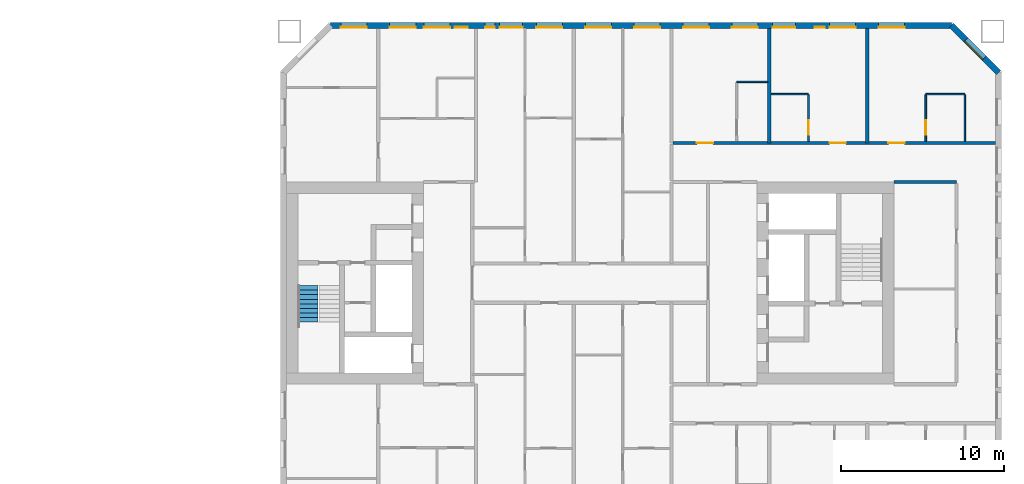
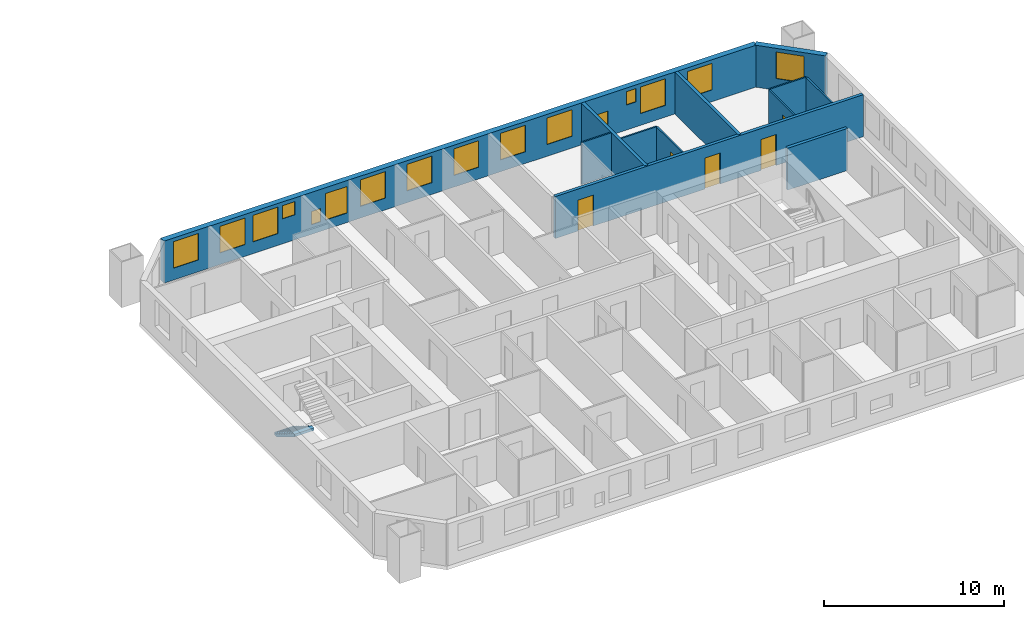
# One storey, part 14 of 17: 16 windows, 12 walls, 5 doors, 1 stair flight, 21 openings, 1 element without a shape of its own.
"""IFC4 building model written with IfcOpenShell, lengths in metres."""

from ifc_helpers import new_model, si_unit, direction, frame, frame_2d, origin, place, context, subcontext, project, spatial, polyline, rectangle, outline, extrude, material, layer, layer_set, type_object, element, fill, aggregate, save


model = new_model("IFC4")

# Units and contexts
model_context = context("Model", 3, precision=1e-05, world=origin(), true_north=direction((0.0, 1.0)))
body_context = subcontext(model_context, "Body", "Model", "MODEL_VIEW")
ifc_project = project(units=[si_unit("LENGTHUNIT", "METRE"), si_unit("AREAUNIT", "SQUARE_METRE"), si_unit("VOLUMEUNIT", "CUBIC_METRE"), si_unit("PLANEANGLEUNIT", "RADIAN"), si_unit("MASSUNIT", "GRAM", prefix="KILO")], contexts=[model_context])

# Site, building, storey
site_placement = place(None, origin())
site = spatial("IfcSite", under=ifc_project, at=site_placement, CompositionType="ELEMENT")
building_placement = place(site_placement, origin())
building = spatial("IfcBuilding", under=site, at=building_placement, Name="Tuart Gate Housing", CompositionType="ELEMENT")
storey_placement = place(building_placement, frame((0.0, 0.0, 77.800048828125)))
storey = spatial("IfcBuildingStorey", under=building, at=storey_placement, Name="L21", CompositionType="ELEMENT", Elevation=77.800048828125)

# Wall, opening, window
ifc_material_1 = material(Name="Brick", Category="masonry")
ifc_layer_1 = layer(ifc_material_1, 0.360107421875)
ifc_layer_set_1 = layer_set([ifc_layer_1], Name="Brick pier and spandrel wall 360")
wall_type_1 = type_object("IfcWallType", Name="Brick pier and spandrel wall 360", PredefinedType="STANDARD", material=ifc_layer_set_1)
wall_1_placement = place(storey_placement, frame((175.070068359375, 82.92529296875, 0.0), z_axis=(0.0, 0.0, 1.0), x_axis=(-0.707106781187, 0.707106781187, 0.0)))
wall_1 = element("IfcWall", 1, at=wall_1_placement, inside=storey, type_object=wall_type_1, Name="External wall B-NE L21", PredefinedType="STANDARD", context=body_context, shape_type="SweptSolid", body=[
    extrude(rectangle(XDim=4.09375, YDim=0.360107421875, at=frame_2d((2.046875, 0.0))), origin(), (0.0, 0.0, 1.0), 2.849853515625),
])
opening_1_placement = place(wall_1_placement, frame((1.2470703125, 0.0, 0.800048828125)))
opening_1 = element("IfcOpeningElement", 2, at=opening_1_placement, cuts=wall_1, Name="Opening W1", PredefinedType="OPENING", context=body_context, shape_type="SweptSolid", body=[
    extrude(rectangle(XDim=1.60009765625, YDim=1.800048828125, at=frame_2d((0.800048828125, 0.89990234375))), frame((0.0, 0.18994140625, 0.0), z_axis=(0.0, -1.0, 0.0), x_axis=(1.0, 0.0, 0.0)), (0.0, 0.0, 1.0), 0.380126953125),
])
ifc_material_2 = material(Name="Aluminium frame with clear glass", Category="aluminium")
window_type_1 = type_object("IfcWindowType", Name="Punched window 1600 x 1800", PartitioningType="SINGLE_PANEL", PredefinedType="WINDOW", material=ifc_material_2)
window_1_placement = place(opening_1_placement, origin())
window_1 = element("IfcWindow", 3, at=window_1_placement, inside=storey, type_object=window_type_1, Name="Window W1", OverallHeight=1.800048828125, OverallWidth=1.60009765625, PartitioningType="SINGLE_PANEL", PredefinedType="WINDOW", context=body_context, shape_type="SweptSolid", body=[
    extrude(rectangle(XDim=1.60009765625, YDim=1.800048828125, at=frame_2d((0.800048828125, 0.89990234375))), frame((0.0, 0.150146484375, 0.0), z_axis=(0.0, -1.0, 0.0), x_axis=(1.0, 0.0, 0.0)), (0.0, 0.0, 1.0), 0.06005859375),
])
fill(opening_1, window_1)

# Wall, openings, windows
wall_2_placement = place(storey_placement, frame((172.17529296875, 85.820068359375, 0.0), z_axis=(0.0, 0.0, 1.0), x_axis=(-1.0, 0.0, 0.0)))
wall_2 = element("IfcWall", 4, at=wall_2_placement, inside=storey, type_object=wall_type_1, Name="External wall B-N L21", PredefinedType="STANDARD", context=body_context, shape_type="SweptSolid", body=[
    extrude(rectangle(XDim=38.100830078125, YDim=0.360107421875, at=frame_2d((19.05029296875, 0.0))), origin(), (0.0, 0.0, 1.0), 2.849853515625),
])
opening_2_placement = place(wall_2_placement, frame((2.87548828125, 0.0, 0.800048828125)))
opening_2 = element("IfcOpeningElement", 5, at=opening_2_placement, cuts=wall_2, Name="Opening W1", PredefinedType="OPENING", context=body_context, shape_type="SweptSolid", body=[
    extrude(rectangle(XDim=1.60009765625, YDim=1.800048828125, at=frame_2d((0.800048828125, 0.89990234375))), frame((0.0, 0.18994140625, 0.0), z_axis=(0.0, -1.0, 0.0), x_axis=(1.0, 0.0, 0.0)), (0.0, 0.0, 1.0), 0.380126953125),
])
opening_3_placement = place(wall_2_placement, frame((5.87548828125, 0.0, 0.800048828125)))
opening_3 = element("IfcOpeningElement", 6, at=opening_3_placement, cuts=wall_2, Name="Opening W1", PredefinedType="OPENING", context=body_context, shape_type="SweptSolid", body=[
    extrude(rectangle(XDim=1.60009765625, YDim=1.800048828125, at=frame_2d((0.800048828125, 0.89990234375))), frame((0.0, 0.18994140625, 0.0), z_axis=(0.0, -1.0, 0.0), x_axis=(1.0, 0.0, 0.0)), (0.0, 0.0, 1.0), 0.380126953125),
])
opening_4_placement = place(wall_2_placement, frame((7.775390625, 0.0, 1.699951171875)))
opening_4 = element("IfcOpeningElement", 7, at=opening_4_placement, cuts=wall_2, Name="Opening W1W", PredefinedType="OPENING", context=body_context, shape_type="SweptSolid", body=[
    extrude(rectangle(XDim=0.60009765625, YDim=0.89990234375, at=frame_2d((0.300048828125, 0.449951171875))), frame((0.0, 0.18994140625, 0.0), z_axis=(0.0, -1.0, 0.0), x_axis=(1.0, 0.0, 0.0)), (0.0, 0.0, 1.0), 0.380126953125),
])
opening_5_placement = place(wall_2_placement, frame((11.87548828125, 0.0, 0.800048828125)))
opening_5 = element("IfcOpeningElement", 8, at=opening_5_placement, cuts=wall_2, Name="Opening W1", PredefinedType="OPENING", context=body_context, shape_type="SweptSolid", body=[
    extrude(rectangle(XDim=1.60009765625, YDim=1.800048828125, at=frame_2d((0.800048828125, 0.89990234375))), frame((0.0, 0.18994140625, 0.0), z_axis=(0.0, -1.0, 0.0), x_axis=(1.0, 0.0, 0.0)), (0.0, 0.0, 1.0), 0.380126953125),
])
opening_6_placement = place(wall_2_placement, frame((14.87548828125, 0.0, 0.800048828125)))
opening_6 = element("IfcOpeningElement", 9, at=opening_6_placement, cuts=wall_2, Name="Opening W1", PredefinedType="OPENING", context=body_context, shape_type="SweptSolid", body=[
    extrude(rectangle(XDim=1.60009765625, YDim=1.800048828125, at=frame_2d((0.800048828125, 0.89990234375))), frame((0.0, 0.18994140625, 0.0), z_axis=(0.0, -1.0, 0.0), x_axis=(1.0, 0.0, 0.0)), (0.0, 0.0, 1.0), 0.380126953125),
])
opening_7_placement = place(wall_2_placement, frame((17.87548828125, 0.0, 0.800048828125)))
opening_7 = element("IfcOpeningElement", 10, at=opening_7_placement, cuts=wall_2, Name="Opening W1", PredefinedType="OPENING", context=body_context, shape_type="SweptSolid", body=[
    extrude(rectangle(XDim=1.60009765625, YDim=1.800048828125, at=frame_2d((0.800048828125, 0.89990234375))), frame((0.0, 0.18994140625, 0.0), z_axis=(0.0, -1.0, 0.0), x_axis=(1.0, 0.0, 0.0)), (0.0, 0.0, 1.0), 0.380126953125),
])
opening_8_placement = place(wall_2_placement, frame((20.87548828125, 0.0, 0.800048828125)))
opening_8 = element("IfcOpeningElement", 11, at=opening_8_placement, cuts=wall_2, Name="Opening W1", PredefinedType="OPENING", context=body_context, shape_type="SweptSolid", body=[
    extrude(rectangle(XDim=1.60009765625, YDim=1.800048828125, at=frame_2d((0.800048828125, 0.89990234375))), frame((0.0, 0.18994140625, 0.0), z_axis=(0.0, -1.0, 0.0), x_axis=(1.0, 0.0, 0.0)), (0.0, 0.0, 1.0), 0.380126953125),
])
opening_9_placement = place(wall_2_placement, frame((23.87548828125, 0.0, 0.800048828125)))
opening_9 = element("IfcOpeningElement", 12, at=opening_9_placement, cuts=wall_2, Name="Opening W1", PredefinedType="OPENING", context=body_context, shape_type="SweptSolid", body=[
    extrude(rectangle(XDim=1.60009765625, YDim=1.800048828125, at=frame_2d((0.800048828125, 0.89990234375))), frame((0.0, 0.18994140625, 0.0), z_axis=(0.0, -1.0, 0.0), x_axis=(1.0, 0.0, 0.0)), (0.0, 0.0, 1.0), 0.380126953125),
])
opening_10_placement = place(wall_2_placement, frame((26.325439453125, 0.0, 0.64990234375)))
opening_10 = element("IfcOpeningElement", 13, at=opening_10_placement, cuts=wall_2, Name="Opening W1A", PredefinedType="OPENING", context=body_context, shape_type="SweptSolid", body=[
    extrude(rectangle(XDim=1.39990234375, YDim=1.800048828125, at=frame_2d((0.699951171875, 0.89990234375))), frame((0.0, 0.18994140625, 0.0), z_axis=(0.0, -1.0, 0.0), x_axis=(1.0, 0.0, 0.0)), (0.0, 0.0, 1.0), 0.380126953125),
])
opening_11_placement = place(wall_2_placement, frame((29.67529296875, 0.0, 1.699951171875)))
opening_11 = element("IfcOpeningElement", 14, at=opening_11_placement, cuts=wall_2, Name="Opening W1V", PredefinedType="OPENING", context=body_context, shape_type="SweptSolid", body=[
    extrude(rectangle(XDim=0.800048828125, YDim=0.89990234375, at=frame_2d((0.39990234375, 0.449951171875))), frame((0.0, 0.18994140625, 0.0), z_axis=(0.0, -1.0, 0.0), x_axis=(1.0, 0.0, 0.0)), (0.0, 0.0, 1.0), 0.380126953125),
])
opening_12_placement = place(wall_2_placement, frame((32.87548828125, 0.0, 0.800048828125)))
opening_12 = element("IfcOpeningElement", 15, at=opening_12_placement, cuts=wall_2, Name="Opening W1", PredefinedType="OPENING", context=body_context, shape_type="SweptSolid", body=[
    extrude(rectangle(XDim=1.60009765625, YDim=1.800048828125, at=frame_2d((0.800048828125, 0.89990234375))), frame((0.0, 0.18994140625, 0.0), z_axis=(0.0, -1.0, 0.0), x_axis=(1.0, 0.0, 0.0)), (0.0, 0.0, 1.0), 0.380126953125),
])
opening_13_placement = place(wall_2_placement, frame((35.87548828125, 0.0, 0.800048828125)))
opening_13 = element("IfcOpeningElement", 16, at=opening_13_placement, cuts=wall_2, Name="Opening W1", PredefinedType="OPENING", context=body_context, shape_type="SweptSolid", body=[
    extrude(rectangle(XDim=1.60009765625, YDim=1.800048828125, at=frame_2d((0.800048828125, 0.89990234375))), frame((0.0, 0.18994140625, 0.0), z_axis=(0.0, -1.0, 0.0), x_axis=(1.0, 0.0, 0.0)), (0.0, 0.0, 1.0), 0.380126953125),
])
opening_14_placement = place(wall_2_placement, frame((9.575439453125, 0.0, 0.800048828125)))
opening_14 = element("IfcOpeningElement", 17, at=opening_14_placement, cuts=wall_2, Name="Opening W1S", PredefinedType="OPENING", context=body_context, shape_type="SweptSolid", body=[
    extrude(rectangle(XDim=1.39990234375, YDim=0.89990234375, at=frame_2d((0.699951171875, 0.449951171875))), frame((0.0, 0.18994140625, 0.0), z_axis=(0.0, -1.0, 0.0), x_axis=(1.0, 0.0, 0.0)), (0.0, 0.0, 1.0), 0.380126953125),
])
opening_15_placement = place(wall_2_placement, frame((28.025390625, 0.0, 0.64990234375)))
opening_15 = element("IfcOpeningElement", 18, at=opening_15_placement, cuts=wall_2, Name="Opening W1W", PredefinedType="OPENING", context=body_context, shape_type="SweptSolid", body=[
    extrude(rectangle(XDim=0.60009765625, YDim=0.89990234375, at=frame_2d((0.300048828125, 0.449951171875))), frame((0.0, 0.18994140625, 0.0), z_axis=(0.0, -1.0, 0.0), x_axis=(1.0, 0.0, 0.0)), (0.0, 0.0, 1.0), 0.380126953125),
])
opening_16_placement = place(wall_2_placement, frame((30.775390625, 0.0, 0.800048828125)))
opening_16 = element("IfcOpeningElement", 19, at=opening_16_placement, cuts=wall_2, Name="Opening W1", PredefinedType="OPENING", context=body_context, shape_type="SweptSolid", body=[
    extrude(rectangle(XDim=1.60009765625, YDim=1.800048828125, at=frame_2d((0.800048828125, 0.89990234375))), frame((0.0, 0.18994140625, 0.0), z_axis=(0.0, -1.0, 0.0), x_axis=(1.0, 0.0, 0.0)), (0.0, 0.0, 1.0), 0.380126953125),
])
ifc_material_3 = material(Name="Aluminium frame with clear glass", Category="aluminium")
window_type_2 = type_object("IfcWindowType", Name="Punched window 1400 x 1800", PartitioningType="SINGLE_PANEL", PredefinedType="WINDOW", material=ifc_material_3)
window_2_placement = place(opening_10_placement, origin())
window_2 = element("IfcWindow", 20, at=window_2_placement, inside=storey, type_object=window_type_2, Name="Window W1A", OverallHeight=1.800048828125, OverallWidth=1.39990234375, PartitioningType="SINGLE_PANEL", PredefinedType="WINDOW", context=body_context, shape_type="SweptSolid", body=[
    extrude(rectangle(XDim=1.39990234375, YDim=1.800048828125, at=frame_2d((0.699951171875, 0.89990234375))), frame((0.0, 0.150146484375, 0.0), z_axis=(0.0, -1.0, 0.0), x_axis=(1.0, 0.0, 0.0)), (0.0, 0.0, 1.0), 0.06005859375),
])
fill(opening_10, window_2)
ifc_material_4 = material(Name="Aluminium frame with clear glass", Category="aluminium")
window_type_3 = type_object("IfcWindowType", Name="Punched window 1400 x 900", PartitioningType="SINGLE_PANEL", PredefinedType="WINDOW", material=ifc_material_4)
window_3_placement = place(opening_14_placement, origin())
window_3 = element("IfcWindow", 21, at=window_3_placement, inside=storey, type_object=window_type_3, Name="Window W1S", OverallHeight=0.89990234375, OverallWidth=1.39990234375, PartitioningType="SINGLE_PANEL", PredefinedType="WINDOW", context=body_context, shape_type="SweptSolid", body=[
    extrude(rectangle(XDim=1.39990234375, YDim=0.89990234375, at=frame_2d((0.699951171875, 0.449951171875))), frame((0.0, 0.150146484375, 0.0), z_axis=(0.0, -1.0, 0.0), x_axis=(1.0, 0.0, 0.0)), (0.0, 0.0, 1.0), 0.06005859375),
])
fill(opening_14, window_3)
window_4_placement = place(opening_2_placement, origin())
window_4 = element("IfcWindow", 22, at=window_4_placement, inside=storey, type_object=window_type_1, Name="Window W1", OverallHeight=1.800048828125, OverallWidth=1.60009765625, PartitioningType="SINGLE_PANEL", PredefinedType="WINDOW", context=body_context, shape_type="SweptSolid", body=[
    extrude(rectangle(XDim=1.60009765625, YDim=1.800048828125, at=frame_2d((0.800048828125, 0.89990234375))), frame((0.0, 0.150146484375, 0.0), z_axis=(0.0, -1.0, 0.0), x_axis=(1.0, 0.0, 0.0)), (0.0, 0.0, 1.0), 0.06005859375),
])
fill(opening_2, window_4)
window_5_placement = place(opening_3_placement, origin())
window_5 = element("IfcWindow", 23, at=window_5_placement, inside=storey, type_object=window_type_1, Name="Window W1", OverallHeight=1.800048828125, OverallWidth=1.60009765625, PartitioningType="SINGLE_PANEL", PredefinedType="WINDOW", context=body_context, shape_type="SweptSolid", body=[
    extrude(rectangle(XDim=1.60009765625, YDim=1.800048828125, at=frame_2d((0.800048828125, 0.89990234375))), frame((0.0, 0.150146484375, 0.0), z_axis=(0.0, -1.0, 0.0), x_axis=(1.0, 0.0, 0.0)), (0.0, 0.0, 1.0), 0.06005859375),
])
fill(opening_3, window_5)
window_6_placement = place(opening_5_placement, origin())
window_6 = element("IfcWindow", 24, at=window_6_placement, inside=storey, type_object=window_type_1, Name="Window W1", OverallHeight=1.800048828125, OverallWidth=1.60009765625, PartitioningType="SINGLE_PANEL", PredefinedType="WINDOW", context=body_context, shape_type="SweptSolid", body=[
    extrude(rectangle(XDim=1.60009765625, YDim=1.800048828125, at=frame_2d((0.800048828125, 0.89990234375))), frame((0.0, 0.150146484375, 0.0), z_axis=(0.0, -1.0, 0.0), x_axis=(1.0, 0.0, 0.0)), (0.0, 0.0, 1.0), 0.06005859375),
])
fill(opening_5, window_6)
window_7_placement = place(opening_6_placement, origin())
window_7 = element("IfcWindow", 25, at=window_7_placement, inside=storey, type_object=window_type_1, Name="Window W1", OverallHeight=1.800048828125, OverallWidth=1.60009765625, PartitioningType="SINGLE_PANEL", PredefinedType="WINDOW", context=body_context, shape_type="SweptSolid", body=[
    extrude(rectangle(XDim=1.60009765625, YDim=1.800048828125, at=frame_2d((0.800048828125, 0.89990234375))), frame((0.0, 0.150146484375, 0.0), z_axis=(0.0, -1.0, 0.0), x_axis=(1.0, 0.0, 0.0)), (0.0, 0.0, 1.0), 0.06005859375),
])
fill(opening_6, window_7)
window_8_placement = place(opening_7_placement, origin())
window_8 = element("IfcWindow", 26, at=window_8_placement, inside=storey, type_object=window_type_1, Name="Window W1", OverallHeight=1.800048828125, OverallWidth=1.60009765625, PartitioningType="SINGLE_PANEL", PredefinedType="WINDOW", context=body_context, shape_type="SweptSolid", body=[
    extrude(rectangle(XDim=1.60009765625, YDim=1.800048828125, at=frame_2d((0.800048828125, 0.89990234375))), frame((0.0, 0.150146484375, 0.0), z_axis=(0.0, -1.0, 0.0), x_axis=(1.0, 0.0, 0.0)), (0.0, 0.0, 1.0), 0.06005859375),
])
fill(opening_7, window_8)
window_9_placement = place(opening_8_placement, origin())
window_9 = element("IfcWindow", 27, at=window_9_placement, inside=storey, type_object=window_type_1, Name="Window W1", OverallHeight=1.800048828125, OverallWidth=1.60009765625, PartitioningType="SINGLE_PANEL", PredefinedType="WINDOW", context=body_context, shape_type="SweptSolid", body=[
    extrude(rectangle(XDim=1.60009765625, YDim=1.800048828125, at=frame_2d((0.800048828125, 0.89990234375))), frame((0.0, 0.150146484375, 0.0), z_axis=(0.0, -1.0, 0.0), x_axis=(1.0, 0.0, 0.0)), (0.0, 0.0, 1.0), 0.06005859375),
])
fill(opening_8, window_9)
window_10_placement = place(opening_9_placement, origin())
window_10 = element("IfcWindow", 28, at=window_10_placement, inside=storey, type_object=window_type_1, Name="Window W1", OverallHeight=1.800048828125, OverallWidth=1.60009765625, PartitioningType="SINGLE_PANEL", PredefinedType="WINDOW", context=body_context, shape_type="SweptSolid", body=[
    extrude(rectangle(XDim=1.60009765625, YDim=1.800048828125, at=frame_2d((0.800048828125, 0.89990234375))), frame((0.0, 0.150146484375, 0.0), z_axis=(0.0, -1.0, 0.0), x_axis=(1.0, 0.0, 0.0)), (0.0, 0.0, 1.0), 0.06005859375),
])
fill(opening_9, window_10)
window_11_placement = place(opening_12_placement, origin())
window_11 = element("IfcWindow", 29, at=window_11_placement, inside=storey, type_object=window_type_1, Name="Window W1", OverallHeight=1.800048828125, OverallWidth=1.60009765625, PartitioningType="SINGLE_PANEL", PredefinedType="WINDOW", context=body_context, shape_type="SweptSolid", body=[
    extrude(rectangle(XDim=1.60009765625, YDim=1.800048828125, at=frame_2d((0.800048828125, 0.89990234375))), frame((0.0, 0.150146484375, 0.0), z_axis=(0.0, -1.0, 0.0), x_axis=(1.0, 0.0, 0.0)), (0.0, 0.0, 1.0), 0.06005859375),
])
fill(opening_12, window_11)
window_12_placement = place(opening_13_placement, origin())
window_12 = element("IfcWindow", 30, at=window_12_placement, inside=storey, type_object=window_type_1, Name="Window W1", OverallHeight=1.800048828125, OverallWidth=1.60009765625, PartitioningType="SINGLE_PANEL", PredefinedType="WINDOW", context=body_context, shape_type="SweptSolid", body=[
    extrude(rectangle(XDim=1.60009765625, YDim=1.800048828125, at=frame_2d((0.800048828125, 0.89990234375))), frame((0.0, 0.150146484375, 0.0), z_axis=(0.0, -1.0, 0.0), x_axis=(1.0, 0.0, 0.0)), (0.0, 0.0, 1.0), 0.06005859375),
])
fill(opening_13, window_12)
window_13_placement = place(opening_16_placement, origin())
window_13 = element("IfcWindow", 31, at=window_13_placement, inside=storey, type_object=window_type_1, Name="Window W1", OverallHeight=1.800048828125, OverallWidth=1.60009765625, PartitioningType="SINGLE_PANEL", PredefinedType="WINDOW", context=body_context, shape_type="SweptSolid", body=[
    extrude(rectangle(XDim=1.60009765625, YDim=1.800048828125, at=frame_2d((0.800048828125, 0.89990234375))), frame((0.0, 0.150146484375, 0.0), z_axis=(0.0, -1.0, 0.0), x_axis=(1.0, 0.0, 0.0)), (0.0, 0.0, 1.0), 0.06005859375),
])
fill(opening_16, window_13)
ifc_material_5 = material(Name="Aluminium frame with clear glass", Category="aluminium")
window_type_4 = type_object("IfcWindowType", Name="Punched window 600 x 900", PartitioningType="SINGLE_PANEL", PredefinedType="WINDOW", material=ifc_material_5)
window_14_placement = place(opening_4_placement, origin())
window_14 = element("IfcWindow", 32, at=window_14_placement, inside=storey, type_object=window_type_4, Name="Window W1W", OverallHeight=0.89990234375, OverallWidth=0.60009765625, PartitioningType="SINGLE_PANEL", PredefinedType="WINDOW", context=body_context, shape_type="SweptSolid", body=[
    extrude(rectangle(XDim=0.60009765625, YDim=0.89990234375, at=frame_2d((0.300048828125, 0.449951171875))), frame((0.0, 0.150146484375, 0.0), z_axis=(0.0, -1.0, 0.0), x_axis=(1.0, 0.0, 0.0)), (0.0, 0.0, 1.0), 0.06005859375),
])
fill(opening_4, window_14)
window_15_placement = place(opening_15_placement, origin())
window_15 = element("IfcWindow", 33, at=window_15_placement, inside=storey, type_object=window_type_4, Name="Window W1W", OverallHeight=0.89990234375, OverallWidth=0.60009765625, PartitioningType="SINGLE_PANEL", PredefinedType="WINDOW", context=body_context, shape_type="SweptSolid", body=[
    extrude(rectangle(XDim=0.60009765625, YDim=0.89990234375, at=frame_2d((0.300048828125, 0.449951171875))), frame((0.0, 0.150146484375, 0.0), z_axis=(0.0, -1.0, 0.0), x_axis=(1.0, 0.0, 0.0)), (0.0, 0.0, 1.0), 0.06005859375),
])
fill(opening_15, window_15)
ifc_material_6 = material(Name="Aluminium frame with clear glass", Category="aluminium")
window_type_5 = type_object("IfcWindowType", Name="Punched window 800 x 900", PartitioningType="SINGLE_PANEL", PredefinedType="WINDOW", material=ifc_material_6)
window_16_placement = place(opening_11_placement, origin())
window_16 = element("IfcWindow", 34, at=window_16_placement, inside=storey, type_object=window_type_5, Name="Window W1V", OverallHeight=0.89990234375, OverallWidth=0.800048828125, PartitioningType="SINGLE_PANEL", PredefinedType="WINDOW", context=body_context, shape_type="SweptSolid", body=[
    extrude(rectangle(XDim=0.800048828125, YDim=0.89990234375, at=frame_2d((0.39990234375, 0.449951171875))), frame((0.0, 0.150146484375, 0.0), z_axis=(0.0, -1.0, 0.0), x_axis=(1.0, 0.0, 0.0)), (0.0, 0.0, 1.0), 0.06005859375),
])
fill(opening_11, window_16)

# Wall
ifc_material_7 = material(Name="Concrete masonry 15 MPa", Category="masonry")
ifc_layer_2 = layer(ifc_material_7, 0.199951171875)
ifc_layer_set_2 = layer_set([ifc_layer_2], Name="Corridor wall masonry 200")
wall_type_2 = type_object("IfcWallType", Name="Corridor wall masonry 200", PredefinedType="PARTITIONING", material=ifc_layer_set_2)
wall_3_placement = place(storey_placement, frame((168.639892578125, 76.199951171875, 0.0), z_axis=(0.0, 0.0, 1.0), x_axis=(1.0, 0.0, 0.0)))
element("IfcWall", 35, at=wall_3_placement, inside=storey, type_object=wall_type_2, Name="Corridor wall masonry 200", PredefinedType="PARTITIONING", context=body_context, shape_type="SweptSolid", body=[
    extrude(rectangle(XDim=3.85009765625, YDim=0.199951171875, at=frame_2d((1.925048828125, 0.0))), origin(), (0.0, 0.0, 1.0), 2.849853515625),
])

# Wall, openings, doors
wall_4_placement = place(storey_placement, frame((155.10009765625, 78.60009765625, 0.0), z_axis=(0.0, 0.0, 1.0), x_axis=(1.0, 0.0, 0.0)))
wall_4 = element("IfcWall", 36, at=wall_4_placement, inside=storey, type_object=wall_type_2, Name="Corridor wall masonry 200", PredefinedType="PARTITIONING", context=body_context, shape_type="SweptSolid", body=[
    extrude(rectangle(XDim=19.789794921875, YDim=0.199951171875, at=frame_2d((9.89501953125, 0.0))), origin(), (0.0, 0.0, 1.0), 2.849853515625),
])
opening_17_placement = place(wall_4_placement, frame((1.449951171875, 0.0, 0.0)))
opening_17 = element("IfcOpeningElement", 37, at=opening_17_placement, cuts=wall_4, Name="Opening D906", PredefinedType="OPENING", context=body_context, shape_type="SweptSolid", body=[
    extrude(rectangle(XDim=1.0, YDim=2.10009765625, at=frame_2d((0.5, 1.050048828125))), frame((0.0, 0.10986328125, 0.0), z_axis=(0.0, -1.0, 0.0), x_axis=(1.0, 0.0, 0.0)), (0.0, 0.0, 1.0), 0.219970703125),
])
opening_18_placement = place(wall_4_placement, frame((9.60009765625, 0.0, 0.0)))
opening_18 = element("IfcOpeningElement", 38, at=opening_18_placement, cuts=wall_4, Name="Opening D907", PredefinedType="OPENING", context=body_context, shape_type="SweptSolid", body=[
    extrude(rectangle(XDim=1.0, YDim=2.10009765625, at=frame_2d((0.5, 1.050048828125))), frame((0.0, 0.10986328125, 0.0), z_axis=(0.0, -1.0, 0.0), x_axis=(1.0, 0.0, 0.0)), (0.0, 0.0, 1.0), 0.219970703125),
])
opening_19_placement = place(wall_4_placement, frame((13.199951171875, 0.0, 0.0)))
opening_19 = element("IfcOpeningElement", 39, at=opening_19_placement, cuts=wall_4, Name="Opening D908", PredefinedType="OPENING", context=body_context, shape_type="SweptSolid", body=[
    extrude(rectangle(XDim=1.0, YDim=2.10009765625, at=frame_2d((0.5, 1.050048828125))), frame((0.0, 0.10986328125, 0.0), z_axis=(0.0, -1.0, 0.0), x_axis=(1.0, 0.0, 0.0)), (0.0, 0.0, 1.0), 0.219970703125),
])
ifc_material_8 = material(Name="Timber door leaf in steel frame", Category="steel")
door_type_1 = type_object("IfcDoorType", Name="Flat entrance door 1000", OperationType="SINGLE_SWING_LEFT", PredefinedType="DOOR", material=ifc_material_8)
door_1_placement = place(opening_18_placement, origin())
door_1 = element("IfcDoor", 40, at=door_1_placement, inside=storey, type_object=door_type_1, Name="Flat entrance door", OperationType="SINGLE_SWING_LEFT", OverallHeight=2.10009765625, OverallWidth=1.0, PredefinedType="DOOR", context=body_context, shape_type="SweptSolid", body=[
    extrude(rectangle(XDim=1.0, YDim=2.10009765625, at=frame_2d((0.5, 1.050048828125))), frame((0.0, 0.02490234375, 0.0), z_axis=(0.0, -1.0, 0.0), x_axis=(1.0, 0.0, 0.0)), (0.0, 0.0, 1.0), 0.050048828125),
])
fill(opening_18, door_1)
door_2_placement = place(opening_19_placement, origin())
door_2 = element("IfcDoor", 41, at=door_2_placement, inside=storey, type_object=door_type_1, Name="Flat entrance door", OperationType="SINGLE_SWING_LEFT", OverallHeight=2.10009765625, OverallWidth=1.0, PredefinedType="DOOR", context=body_context, shape_type="SweptSolid", body=[
    extrude(rectangle(XDim=1.0, YDim=2.10009765625, at=frame_2d((0.5, 1.050048828125))), frame((0.0, 0.02490234375, 0.0), z_axis=(0.0, -1.0, 0.0), x_axis=(1.0, 0.0, 0.0)), (0.0, 0.0, 1.0), 0.050048828125),
])
fill(opening_19, door_2)
ifc_material_9 = material(Name="Timber door leaf in steel frame", Category="steel")
door_type_2 = type_object("IfcDoorType", Name="Flat entrance door 1000 RH", OperationType="SINGLE_SWING_RIGHT", PredefinedType="DOOR", material=ifc_material_9)
door_3_placement = place(opening_17_placement, origin())
door_3 = element("IfcDoor", 42, at=door_3_placement, inside=storey, type_object=door_type_2, Name="Flat entrance door", OperationType="SINGLE_SWING_RIGHT", OverallHeight=2.10009765625, OverallWidth=1.0, PredefinedType="DOOR", context=body_context, shape_type="SweptSolid", body=[
    extrude(rectangle(XDim=1.0, YDim=2.10009765625, at=frame_2d((0.5, 1.050048828125))), frame((0.0, 0.02490234375, 0.0), z_axis=(0.0, -1.0, 0.0), x_axis=(1.0, 0.0, 0.0)), (0.0, 0.0, 1.0), 0.050048828125),
])
fill(opening_17, door_3)

# Walls
ifc_material_10 = material(Name="Gypsum board on steel studs", Category="steel")
ifc_layer_3 = layer(ifc_material_10, 0.10009765625)
ifc_layer_set_3 = layer_set([ifc_layer_3], Name="Partition 100")
wall_type_3 = type_object("IfcWallType", Name="Partition 100", PredefinedType="PARTITIONING", material=ifc_layer_set_3)
wall_5_placement = place(storey_placement, frame((161.10009765625, 81.60009765625, 0.0), z_axis=(0.0, 0.0, 1.0), x_axis=(1.0, 0.0, 0.0)))
element("IfcWall", 43, at=wall_5_placement, inside=storey, type_object=wall_type_3, Name="Partition 100", PredefinedType="PARTITIONING", context=body_context, shape_type="SweptSolid", body=[
    extrude(rectangle(XDim=2.2998046875, YDim=0.10009765625, at=frame_2d((1.14990234375, 0.0))), origin(), (0.0, 0.0, 1.0), 2.849853515625),
])
wall_6_placement = place(storey_placement, frame((170.60009765625, 81.60009765625, 0.0), z_axis=(0.0, 0.0, 1.0), x_axis=(1.0, 0.0, 0.0)))
element("IfcWall", 44, at=wall_6_placement, inside=storey, type_object=wall_type_3, Name="Partition 100", PredefinedType="PARTITIONING", context=body_context, shape_type="SweptSolid", body=[
    extrude(rectangle(XDim=2.39990234375, YDim=0.10009765625, at=frame_2d((1.199951171875, 0.0))), origin(), (0.0, 0.0, 1.0), 2.849853515625),
])
wall_7_placement = place(storey_placement, frame((159.0, 82.35009765625, 0.0), z_axis=(0.0, 0.0, 1.0), x_axis=(1.0, 0.0, 0.0)))
element("IfcWall", 45, at=wall_7_placement, inside=storey, type_object=wall_type_3, Name="Partition 100", PredefinedType="PARTITIONING", context=body_context, shape_type="SweptSolid", body=[
    extrude(rectangle(XDim=1.89990234375, YDim=0.10009765625, at=frame_2d((0.949951171875, 0.0))), origin(), (0.0, 0.0, 1.0), 2.849853515625),
])

# Wall, opening, door
wall_8_placement = place(storey_placement, frame((163.39990234375, 78.699951171875, 0.0), z_axis=(0.0, 0.0, 1.0), x_axis=(0.0, 1.0, 0.0)))
wall_8 = element("IfcWall", 46, at=wall_8_placement, inside=storey, type_object=wall_type_3, Name="Partition 100", PredefinedType="PARTITIONING", context=body_context, shape_type="SweptSolid", body=[
    extrude(rectangle(XDim=2.85009765625, YDim=0.10009765625, at=frame_2d((1.425048828125, 0.0))), origin(), (0.0, 0.0, 1.0), 2.849853515625),
])
opening_20_placement = place(wall_8_placement, frame((0.39990234375, 0.0, 0.0)))
opening_20 = element("IfcOpeningElement", 47, at=opening_20_placement, cuts=wall_8, Name="Opening D901", PredefinedType="OPENING", context=body_context, shape_type="SweptSolid", body=[
    extrude(rectangle(XDim=0.89990234375, YDim=2.10009765625, at=frame_2d((0.449951171875, 1.050048828125))), frame((0.0, 0.06005859375, 0.0), z_axis=(0.0, -1.0, 0.0), x_axis=(1.0, 0.0, 0.0)), (0.0, 0.0, 1.0), 0.1201171875),
])
ifc_material_11 = material(Name="Timber door leaf in steel frame", Category="steel")
door_type_3 = type_object("IfcDoorType", Name="Bathroom door 900", OperationType="SINGLE_SWING_LEFT", PredefinedType="DOOR", material=ifc_material_11)
door_4_placement = place(opening_20_placement, origin())
door_4 = element("IfcDoor", 48, at=door_4_placement, inside=storey, type_object=door_type_3, Name="Bathroom door", OperationType="SINGLE_SWING_LEFT", OverallHeight=2.10009765625, OverallWidth=0.89990234375, PredefinedType="DOOR", context=body_context, shape_type="SweptSolid", body=[
    extrude(rectangle(XDim=0.89990234375, YDim=2.10009765625, at=frame_2d((0.449951171875, 1.050048828125))), frame((0.0, 0.02490234375, 0.0), z_axis=(0.0, -1.0, 0.0), x_axis=(1.0, 0.0, 0.0)), (0.0, 0.0, 1.0), 0.050048828125),
])
fill(opening_20, door_4)

wall_9_placement = place(storey_placement, frame((170.60009765625, 78.699951171875, 0.0), z_axis=(0.0, 0.0, 1.0), x_axis=(0.0, 1.0, 0.0)))
wall_9 = element("IfcWall", 49, at=wall_9_placement, inside=storey, type_object=wall_type_3, Name="Partition 100", PredefinedType="PARTITIONING", context=body_context, shape_type="SweptSolid", body=[
    extrude(rectangle(XDim=2.85009765625, YDim=0.10009765625, at=frame_2d((1.425048828125, 0.0))), origin(), (0.0, 0.0, 1.0), 2.849853515625),
])
opening_21_placement = place(wall_9_placement, frame((0.39990234375, 0.0, 0.0)))
opening_21 = element("IfcOpeningElement", 50, at=opening_21_placement, cuts=wall_9, Name="Opening D902", PredefinedType="OPENING", context=body_context, shape_type="SweptSolid", body=[
    extrude(rectangle(XDim=0.89990234375, YDim=2.10009765625, at=frame_2d((0.449951171875, 1.050048828125))), frame((0.0, 0.06005859375, 0.0), z_axis=(0.0, -1.0, 0.0), x_axis=(1.0, 0.0, 0.0)), (0.0, 0.0, 1.0), 0.1201171875),
])
ifc_material_12 = material(Name="Timber door leaf in steel frame", Category="steel")
door_type_4 = type_object("IfcDoorType", Name="Bathroom door 900 RH", OperationType="SINGLE_SWING_RIGHT", PredefinedType="DOOR", material=ifc_material_12)
door_5_placement = place(opening_21_placement, frame((0.89990234375, 0.0, 0.0), z_axis=(0.0, 0.0, 1.0), x_axis=(-1.0, 0.0, 0.0)))
door_5 = element("IfcDoor", 51, at=door_5_placement, inside=storey, type_object=door_type_4, Name="Bathroom door", OperationType="SINGLE_SWING_RIGHT", OverallHeight=2.10009765625, OverallWidth=0.89990234375, PredefinedType="DOOR", context=body_context, shape_type="SweptSolid", body=[
    extrude(rectangle(XDim=0.89990234375, YDim=2.10009765625, at=frame_2d((0.449951171875, 1.050048828125))), frame((0.0, 0.025146484375, 0.0), z_axis=(0.0, -1.0, 0.0), x_axis=(1.0, 0.0, 0.0)), (0.0, 0.0, 1.0), 0.050048828125),
])
fill(opening_21, door_5)

# Walls
wall_10_placement = place(storey_placement, frame((173.0, 78.699951171875, 0.0), z_axis=(0.0, 0.0, 1.0), x_axis=(0.0, 1.0, 0.0)))
element("IfcWall", 52, at=wall_10_placement, inside=storey, type_object=wall_type_3, Name="Partition 100", PredefinedType="PARTITIONING", context=body_context, shape_type="SweptSolid", body=[
    extrude(rectangle(XDim=2.85009765625, YDim=0.10009765625, at=frame_2d((1.425048828125, 0.0))), origin(), (0.0, 0.0, 1.0), 2.849853515625),
])
ifc_material_13 = material(Name="Concrete C40", Category="concrete")
ifc_layer_4 = layer(ifc_material_13, 0.199951171875)
ifc_layer_set_4 = layer_set([ifc_layer_4], Name="Party wall concrete C40 200")
wall_type_4 = type_object("IfcWallType", Name="Party wall concrete C40 200", PredefinedType="SOLIDWALL", material=ifc_layer_set_4)
for number, where, z_axis, x_axis, name in (
    (53, (161.0, 78.60009765625, 0.0), (0.0, 0.0, 1.0), (0.0, 1.0, 0.0), "Party wall concrete C40 200"),
    (54, (167.0, 78.60009765625, 0.0), (0.0, 0.0, 1.0), (0.0, 1.0, 0.0), "Party wall concrete C40 200"),
):
    element("IfcWall", number, at=place(storey_placement, frame(where, z_axis=z_axis, x_axis=x_axis)), inside=storey, type_object=wall_type_4, Name=name, PredefinedType="SOLIDWALL", context=body_context, shape_type="SweptSolid", body=[
        extrude(rectangle(XDim=7.039794921875, YDim=0.199951171875, at=frame_2d((3.52001953125, 0.0))), origin(), (0.0, 0.0, 1.0), 2.849853515625),
    ])

# Stair, stair flight
ifc_material_14 = material(Name="Concrete C40", Category="concrete")
stair_type = type_object("IfcStairType", Name="Core stair 1250", PredefinedType="HALF_TURN_STAIR", material=ifc_material_14)
stair_placement = place(storey_placement, origin())
stair = element("IfcStair", 55, at=stair_placement, inside=storey, type_object=stair_type, Name="Stair SB1", PredefinedType="HALF_TURN_STAIR")
ifc_material_15 = material(Name="Concrete C40", Category="concrete")
stair_flight_type = type_object("IfcStairFlightType", Name="Stair flight 1250, 9 risers 172 x 280", PredefinedType="STRAIGHT", material=ifc_material_15)
stair_flight_placement = place(storey_placement, frame((132.68505859375, 69.85009765625, 0.0), z_axis=(0.0, 0.0, 1.0), x_axis=(0.0, -1.0, 0.0)))
stair_flight = element("IfcStairFlight", 56, at=stair_flight_placement, type_object=stair_flight_type, Name="SB1 flight 1", NumberOfRisers=9, NumberOfTreads=8, PredefinedType="STRAIGHT", RiserHeight=0.172222222, TreadLength=0.28, context=body_context, shape_type="SweptSolid", body=[
    extrude(outline(polyline([(0.0, 0.0), (0.0, 0.172119140625), (0.280029296875, 0.172119140625), (0.280029296875, 0.344482421875), (0.56005859375, 0.344482421875), (0.56005859375, 0.5166015625), (0.840087890625, 0.5166015625), (0.840087890625, 0.68896484375), (1.1201171875, 0.68896484375), (1.1201171875, 0.861083984375), (1.39990234375, 0.861083984375), (1.39990234375, 1.033447265625), (1.679931640625, 1.033447265625), (1.679931640625, 1.20556640625), (1.9599609375, 1.20556640625), (1.9599609375, 1.377685546875), (2.239990234375, 1.377685546875), (2.239990234375, 1.550048828125), (2.239990234375, 1.201904296875), (0.2861328125, 0.0), (0.0, 0.0)])), frame((0.0, 0.625, 0.0), z_axis=(0.0, -1.0, 0.0), x_axis=(1.0, 0.0, 0.0)), (0.0, 0.0, 1.0), 1.25),
])
aggregate(stair, [stair_flight])

save(model, "model.ifc")
